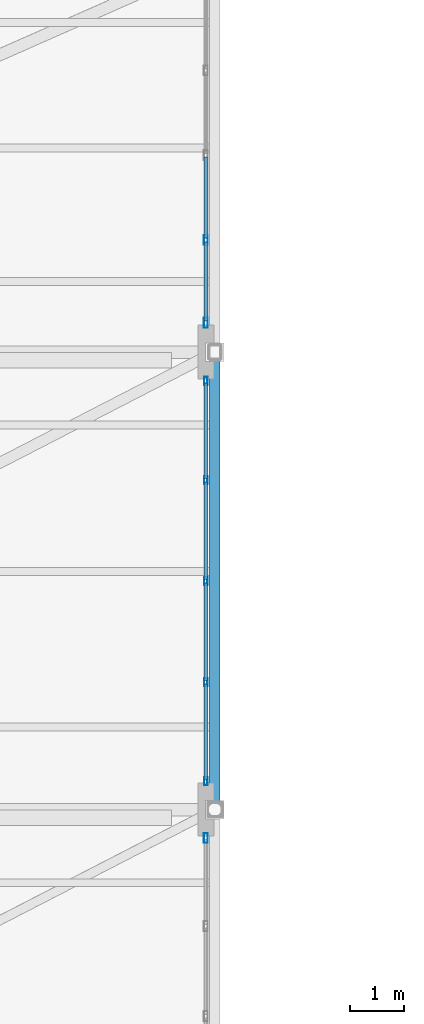
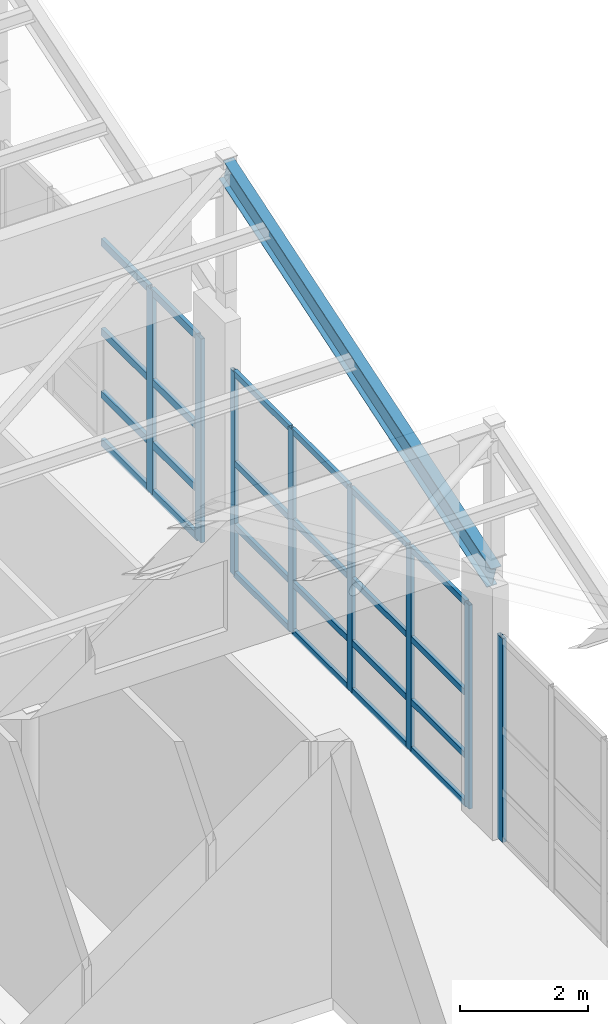
# One storey, part 15 of 34: 32 members, 1 beam, 3 elements without a shape of their own.
"""IFC4 building model written with IfcOpenShell, lengths in metres."""

import ifcopenshell
import ifcopenshell.guid

model = None  # the IFC model being written
_history = None  # IfcOwnerHistory: only IFC2X3 demands one
_inside = {}  # id of a spatial element -> (the spatial element, [elements in it])
_under = {}  # id of a project, library or spatial element -> (it, [spatial elements below it])
_declared = {}  # id of a project -> (the project, [libraries it declares])
_typed = {}  # id of a type object -> (the type object, [elements of that type])
_made_of = {}  # id of a material, layer set ... -> (it, [elements and type objects made of it])


def new_model(schema):
    """Start an empty IFC model of exactly this schema.

    Asked for "IFC4X3", IfcOpenShell would pick the latest addendum, in which some entities
    have other attributes; the version numbers below select the first issue.
    IFC2X3 requires an IfcOwnerHistory on every rooted entity: one is made here for all.
    """
    global model, _history
    if schema == "IFC4X3":
        model = ifcopenshell.file(schema_version=(4, 3, 0, 0))
    else:
        model = ifcopenshell.file(schema=schema)
    _inside.clear()
    _under.clear()
    _declared.clear()
    _typed.clear()
    _made_of.clear()
    _history = None
    if model.schema == "IFC2X3":
        org = make("IfcOrganization", Name="unknown")
        user = make(
            "IfcPersonAndOrganization",
            ThePerson=make("IfcPerson", FamilyName="unknown"),
            TheOrganization=org,
        )
        app = make(
            "IfcApplication",
            ApplicationDeveloper=org,
            Version="unknown",
            ApplicationFullName="unknown",
            ApplicationIdentifier="unknown",
        )
        _history = make(
            "IfcOwnerHistory",
            OwningUser=user,
            OwningApplication=app,
            ChangeAction="ADDED",
            CreationDate=0,
        )
    return model


def make(cls, **values):
    """One entity of the class cls with the attributes given. An attribute that is None is left unset."""
    return model.create_entity(
        cls, **{name: value for name, value in values.items() if value is not None}
    )


def rooted(cls, **values):
    """An entity with a GlobalId (a new one), such as an element, a storey or a relation."""
    return make(cls, GlobalId=ifcopenshell.guid.new(), OwnerHistory=_history, **values)


def si_unit(unit_type, name, prefix=None):
    """IfcSIUnit, for example si_unit("LENGTHUNIT", "METRE", prefix="MILLI")."""
    return make("IfcSIUnit", UnitType=unit_type, Prefix=prefix, Name=name)


def assignment(units):
    """IfcUnitAssignment: the units of a project."""
    return None if units is None else make("IfcUnitAssignment", Units=units)


def point(xyz):
    """IfcCartesianPoint."""
    return None if xyz is None else make("IfcCartesianPoint", Coordinates=xyz)


def direction(xyz):
    """IfcDirection."""
    return None if xyz is None else make("IfcDirection", DirectionRatios=xyz)


def frame(location, z_axis=None, x_axis=None):
    """IfcAxis2Placement3D, a coordinate frame: its origin and axes. An axis left out is left unset."""
    return make(
        "IfcAxis2Placement3D",
        Location=point(location),
        Axis=direction(z_axis),
        RefDirection=direction(x_axis),
    )


def frame_2d(location, x_axis=None):
    """IfcAxis2Placement2D, a coordinate frame in the plane: its origin and x axis."""
    return make(
        "IfcAxis2Placement2D", Location=point(location), RefDirection=direction(x_axis)
    )


def origin():
    """The frame at (0, 0, 0) with its axes left unset."""
    return frame((0.0, 0.0, 0.0))


def origin_2d():
    """The frame at (0, 0) in the plane with its x axis left unset."""
    return frame_2d((0.0, 0.0))


def place(relative_to, where):
    """IfcLocalPlacement: puts the frame where relative to a parent placement (None: the world)."""
    return make(
        "IfcLocalPlacement", PlacementRelTo=relative_to, RelativePlacement=where
    )


def context(
    kind, dimensions, precision=None, world=None, true_north=None, identifier=None
):
    """IfcGeometricRepresentationContext, for example the 3D "Model" context."""
    return make(
        "IfcGeometricRepresentationContext",
        ContextIdentifier=identifier,
        ContextType=kind,
        CoordinateSpaceDimension=dimensions,
        Precision=precision,
        WorldCoordinateSystem=world,
        TrueNorth=true_north,
    )


def subcontext(parent, identifier, kind, view, scale=None):
    """IfcGeometricRepresentationSubContext, for example "Body" below "Model"."""
    return make(
        "IfcGeometricRepresentationSubContext",
        ContextIdentifier=identifier,
        ContextType=kind,
        ParentContext=parent,
        TargetScale=scale,
        TargetView=view,
    )


def project(units=None, contexts=None):
    """IfcProject with its units and contexts."""
    return rooted(
        "IfcProject",
        Name="project",
        RepresentationContexts=contexts,
        UnitsInContext=assignment(units),
    )


def spatial(cls, under=None, at=None, **own):
    """A site, building, storey or space (cls), placed at a placement, below another one or the project."""
    s = rooted(cls, ObjectPlacement=at, **own)
    if under is not None:
        _under.setdefault(under.id(), (under, []))[1].append(s)
    return s


def profile(cls, at=None, kind="AREA", **sizes):
    """A parametric profile (cls). Its sizes go by their IFC names, for example OverallWidth=200.0."""
    return make(cls, ProfileType=kind, Position=at, **sizes)


def hollow_rectangle(**sizes):
    """IfcRectangleHollowProfileDef."""
    return profile("IfcRectangleHollowProfileDef", **sizes)


def i_section(**sizes):
    """IfcIShapeProfileDef."""
    return profile("IfcIShapeProfileDef", **sizes)


def extrude(swept, where, along, depth):
    """IfcExtrudedAreaSolid: the profile swept, set in the frame where, extruded along a direction by depth."""
    return make(
        "IfcExtrudedAreaSolid",
        SweptArea=swept,
        Position=where,
        ExtrudedDirection=direction(along),
        Depth=depth,
    )


def shape(context_of_items, identifier, shape_type, items):
    """IfcShapeRepresentation: the items that make up one representation, for example the "Body"."""
    return make(
        "IfcShapeRepresentation",
        ContextOfItems=context_of_items,
        RepresentationIdentifier=identifier,
        RepresentationType=shape_type,
        Items=items,
    )


def material(Name=None, Category=None):
    """IfcMaterial."""
    return make("IfcMaterial", Name=Name, Category=Category)


def layer(
    of_material, thickness, ventilated=None, Name=None, Category=None, Priority=None
):
    """IfcMaterialLayer: one layer of a wall or slab, of a material (None: an air gap)."""
    return make(
        "IfcMaterialLayer",
        Material=of_material,
        LayerThickness=thickness,
        IsVentilated=ventilated,
        Name=Name,
        Category=Category,
        Priority=Priority,
    )


def layer_set(layers, Name=None):
    """IfcMaterialLayerSet."""
    return make("IfcMaterialLayerSet", MaterialLayers=layers, LayerSetName=Name)


def material_profile(
    of_material, cross_section, Name=None, Category=None, Priority=None
):
    """IfcMaterialProfile: a cross section and its material."""
    return make(
        "IfcMaterialProfile",
        Name=Name,
        Material=of_material,
        Profile=cross_section,
        Priority=Priority,
        Category=Category,
    )


def profile_set(profiles, Name=None, composite=None):
    """IfcMaterialProfileSet."""
    return make(
        "IfcMaterialProfileSet",
        Name=Name,
        MaterialProfiles=profiles,
        CompositeProfile=composite,
    )


def made_of(thing, what):
    """Note that an element or type object is made of a material, layer set ...; save() writes the relation."""
    if what is not None:
        _made_of.setdefault(what.id(), (what, []))[1].append(thing)
    return thing


def type_object(cls, material=None, **own):
    """A type object (cls), such as IfcWallType, which elements share."""
    return made_of(rooted(cls, **own), material)


def element(
    cls,
    number,
    at=None,
    inside=None,
    cuts=None,
    type_object=None,
    material=None,
    context=None,
    identifier="Body",
    shape_type=None,
    held_by="IfcProductDefinitionShape",
    body=None,
    shapes=None,
    **own,
):
    """One element of the class cls, such as IfcWall. Its Tag is "e" and its number.

    at: its placement. inside: the storey or other place that contains it. cuts: it is an
    opening in that element (IfcRelVoidsElement). A single representation is given by context,
    identifier, shape_type and body (its items); several are given by shapes. held_by: the class
    of the entity that holds the representations. save() writes the other relations.
    """
    e = rooted(cls, Tag="e%d" % number, ObjectPlacement=at, **own)
    if body is not None:
        shapes = [shape(context, identifier, shape_type, body)]
    if shapes is not None:
        e.Representation = make(held_by, Representations=shapes)
    if inside is not None:
        _inside.setdefault(inside.id(), (inside, []))[1].append(e)
    if cuts is not None:
        rooted(
            "IfcRelVoidsElement", RelatingBuildingElement=cuts, RelatedOpeningElement=e
        )
    if type_object is not None:
        _typed.setdefault(type_object.id(), (type_object, []))[1].append(e)
    return made_of(e, material)


def aggregate(whole, parts):
    """IfcRelAggregates: a whole, such as a stair, and the parts it consists of."""
    return rooted("IfcRelAggregates", RelatingObject=whole, RelatedObjects=parts)


def save(model, path):
    """Write the relations noted so far, then the file.

    IfcRelAggregates (storeys below a building ...), IfcRelContainedInSpatialStructure (elements
    in a storey), IfcRelDefinesByType, IfcRelAssociatesMaterial and IfcRelDeclares: one each for
    every whole, place, type object, material and project.
    """
    for whole, parts in _under.values():
        aggregate(whole, parts)
    for where, things in _inside.values():
        rooted(
            "IfcRelContainedInSpatialStructure",
            RelatedElements=things,
            RelatingStructure=where,
        )
    for kind, things in _typed.values():
        rooted("IfcRelDefinesByType", RelatedObjects=things, RelatingType=kind)
    for what, things in _made_of.values():
        rooted("IfcRelAssociatesMaterial", RelatedObjects=things, RelatingMaterial=what)
    for by, libraries in _declared.values():
        rooted("IfcRelDeclares", RelatingContext=by, RelatedDefinitions=libraries)
    model.write(path)


model = new_model("IFC4")

# Units and contexts
model_context = context("Model", 3, precision=1e-05, world=origin(), true_north=direction((0.0, 1.0)))
body_context = subcontext(model_context, "Body", "Model", "MODEL_VIEW")
ifc_project = project(units=[si_unit("LENGTHUNIT", "METRE"), si_unit("AREAUNIT", "SQUARE_METRE"), si_unit("VOLUMEUNIT", "CUBIC_METRE"), si_unit("PLANEANGLEUNIT", "RADIAN"), si_unit("MASSUNIT", "GRAM", prefix="KILO")], contexts=[model_context])

# Site, building, storey
site_placement = place(None, origin())
site = spatial("IfcSite", under=ifc_project, at=site_placement, CompositionType="ELEMENT")
building_placement = place(site_placement, origin())
building = spatial("IfcBuilding", under=site, at=building_placement, Name="Quendrovan Civic Courthouse", CompositionType="ELEMENT")
storey_placement = place(building_placement, frame((0.0, 0.0, 25.5)))
storey = spatial("IfcBuildingStorey", under=building, at=storey_placement, Name="L06", CompositionType="ELEMENT", Elevation=25.5)

# Beam
ifc_material_1 = material(Name="Steel ASTM A992 Grade 50", Category="steel")
ifc_material_profile_1 = material_profile(ifc_material_1, i_section(OverallWidth=0.18994140625, OverallDepth=0.45703125, WebThickness=0.009033203125, FlangeThickness=0.014404296875, at=origin_2d()), Name="W460x74")
ifc_profile_set_1 = profile_set([ifc_material_profile_1], Name="Steel ASTM A992 Grade 50")
beam_type = type_object("IfcBeamType", Name="BM-STL-W460", PredefinedType="BEAM", material=ifc_profile_set_1)
beam_placement = place(storey_placement, frame((16.800048828125, 64.800048828125, 4.651611328125), z_axis=(0.0, 0.951058036, 0.309012317167), x_axis=(-1.0, 0.0, 0.0)))
element("IfcBeam", 1, at=beam_placement, inside=storey, type_object=beam_type, Name="Sawtooth Raking Steel Rafter B6-E", PredefinedType="BEAM", context=body_context, shape_type="SweptSolid", body=[
    extrude(i_section(OverallWidth=0.18994140625, OverallDepth=0.45703125, WebThickness=0.009033203125, FlangeThickness=0.014404296875, at=origin_2d()), origin(), (0.0, 0.0, 1.0), 8.832275390625),
])

# Curtain wall, members
ifc_material_2 = material(Name="Bronze anodised aluminium and low-E glass", Category="aluminium")
ifc_layer_1 = layer(ifc_material_2, 0.179931640625, Name="Bronze anodised aluminium and low-E glass")
ifc_layer_set_1 = layer_set([ifc_layer_1], Name="Bronze anodised aluminium and low-E glass")
curtain_wall_type_1 = type_object("IfcCurtainWallType", Name="CW-U62x39", PredefinedType="USERDEFINED", material=ifc_layer_set_1)
curtain_wall_1_placement = place(storey_placement, origin())
curtain_wall_1 = element("IfcCurtainWall", 2, at=curtain_wall_1_placement, inside=storey, type_object=curtain_wall_type_1, Name="L06 Unitised Hurricane Curtain Wall CW-208", ObjectType="UNITISED CURTAIN WALL", PredefinedType="USERDEFINED")
ifc_material_3 = material(Name="Bronze anodised aluminium", Category="aluminium")
ifc_material_profile_2 = material_profile(ifc_material_3, hollow_rectangle(XDim=0.070068359375, YDim=0.179931640625, WallThickness=0.00390625, at=origin_2d()), Name="CW-MULL-70x180")
ifc_profile_set_2 = profile_set([ifc_material_profile_2], Name="Bronze anodised aluminium")
member_type_1 = type_object("IfcMemberType", Name="CW-MULL-A", PredefinedType="MULLION", material=ifc_profile_set_2)
member_1_placement = place(storey_placement, frame((16.635009765625, 75.25634765625, 0.0), z_axis=(0.0, 0.0, 1.0), x_axis=(1.0, 0.0, 0.0)))
member_1 = element("IfcMember", 3, at=member_1_placement, type_object=member_type_1, Name="CW-208 mullion 4", PredefinedType="MULLION", context=body_context, shape_type="SweptSolid", body=[
    extrude(hollow_rectangle(XDim=0.070068359375, YDim=0.179931640625, WallThickness=0.00390625, at=origin_2d()), origin(), (0.0, 0.0, 1.0), 3.89990234375),
])
member_2_placement = place(storey_placement, frame((16.635009765625, 73.735107421875, 0.0), z_axis=(0.0, 0.0, 1.0), x_axis=(1.0, 0.0, 0.0)))
member_2 = element("IfcMember", 4, at=member_2_placement, type_object=member_type_1, Name="CW-208 mullion 5", PredefinedType="MULLION", context=body_context, shape_type="SweptSolid", body=[
    extrude(hollow_rectangle(XDim=0.070068359375, YDim=0.179931640625, WallThickness=0.00390625, at=origin_2d()), origin(), (0.0, 0.0, 1.0), 3.89990234375),
])

# Curtain wall, member
ifc_layer_2 = layer(ifc_material_2, 0.179931640625, Name="Bronze anodised aluminium and low-E glass")
ifc_layer_set_2 = layer_set([ifc_layer_2], Name="Bronze anodised aluminium and low-E glass")
curtain_wall_type_2 = type_object("IfcCurtainWallType", Name="CW-U66x39", PredefinedType="USERDEFINED", material=ifc_layer_set_2)
curtain_wall_2_placement = place(storey_placement, origin())
curtain_wall_2 = element("IfcCurtainWall", 5, at=curtain_wall_2_placement, inside=storey, type_object=curtain_wall_type_2, Name="L06 Unitised Hurricane Curtain Wall CW-210", ObjectType="UNITISED CURTAIN WALL", PredefinedType="USERDEFINED")
member_3_placement = place(storey_placement, frame((16.635009765625, 64.278564453125, 0.0), z_axis=(0.0, 0.0, 1.0), x_axis=(1.0, 0.0, 0.0)))
member_3 = element("IfcMember", 6, at=member_3_placement, type_object=member_type_1, Name="CW-210 mullion 1", PredefinedType="MULLION", context=body_context, shape_type="SweptSolid", body=[
    extrude(hollow_rectangle(XDim=0.070068359375, YDim=0.179931640625, WallThickness=0.00390625, at=origin_2d()), origin(), (0.0, 0.0, 1.0), 3.89990234375),
])
aggregate(curtain_wall_2, [member_3])

# Curtain wall, members
ifc_layer_3 = layer(ifc_material_2, 0.179931640625, Name="Bronze anodised aluminium and low-E glass")
ifc_layer_set_3 = layer_set([ifc_layer_3], Name="Bronze anodised aluminium and low-E glass")
curtain_wall_type_3 = type_object("IfcCurtainWallType", Name="CW-U74x39", PredefinedType="USERDEFINED", material=ifc_layer_set_3)
curtain_wall_3_placement = place(storey_placement, origin())
curtain_wall_3 = element("IfcCurtainWall", 7, at=curtain_wall_3_placement, inside=storey, type_object=curtain_wall_type_3, Name="L06 Unitised Hurricane Curtain Wall CW-209", ObjectType="UNITISED CURTAIN WALL", PredefinedType="USERDEFINED")
ifc_material_profile_3 = material_profile(ifc_material_3, hollow_rectangle(XDim=0.06494140625, YDim=0.14990234375, WallThickness=0.00390625, at=origin_2d()), Name="CW-MULL-65x150")
ifc_profile_set_3 = profile_set([ifc_material_profile_3], Name="Bronze anodised aluminium")
member_type_2 = type_object("IfcMemberType", Name="CW-MULL-B", PredefinedType="MULLION", material=ifc_profile_set_3)
member_4_placement = place(storey_placement, frame((16.635009765625, 72.66748046875, 0.0), z_axis=(0.0, 0.0, 1.0), x_axis=(1.0, 0.0, 0.0)))
member_4 = element("IfcMember", 8, at=member_4_placement, type_object=member_type_2, Name="CW-209 mullion 1", PredefinedType="MULLION", context=body_context, shape_type="SweptSolid", body=[
    extrude(hollow_rectangle(XDim=0.06494140625, YDim=0.14990234375, WallThickness=0.00390625, at=origin_2d()), origin(), (0.0, 0.0, 1.0), 3.89990234375),
])
member_5_placement = place(storey_placement, frame((16.635009765625, 70.8466796875, 0.0), z_axis=(0.0, 0.0, 1.0), x_axis=(1.0, 0.0, 0.0)))
member_5 = element("IfcMember", 9, at=member_5_placement, type_object=member_type_2, Name="CW-209 mullion 2", PredefinedType="MULLION", context=body_context, shape_type="SweptSolid", body=[
    extrude(hollow_rectangle(XDim=0.06494140625, YDim=0.14990234375, WallThickness=0.00390625, at=origin_2d()), origin(), (0.0, 0.0, 1.0), 3.89990234375),
])
member_6_placement = place(storey_placement, frame((16.635009765625, 68.9931640625, 0.0), z_axis=(0.0, 0.0, 1.0), x_axis=(1.0, 0.0, 0.0)))
member_6 = element("IfcMember", 10, at=member_6_placement, type_object=member_type_2, Name="CW-209 mullion 3", PredefinedType="MULLION", context=body_context, shape_type="SweptSolid", body=[
    extrude(hollow_rectangle(XDim=0.06494140625, YDim=0.14990234375, WallThickness=0.00390625, at=origin_2d()), origin(), (0.0, 0.0, 1.0), 3.89990234375),
])
member_7_placement = place(storey_placement, frame((16.635009765625, 67.139892578125, 0.0), z_axis=(0.0, 0.0, 1.0), x_axis=(1.0, 0.0, 0.0)))
member_7 = element("IfcMember", 11, at=member_7_placement, type_object=member_type_2, Name="CW-209 mullion 4", PredefinedType="MULLION", context=body_context, shape_type="SweptSolid", body=[
    extrude(hollow_rectangle(XDim=0.06494140625, YDim=0.14990234375, WallThickness=0.00390625, at=origin_2d()), origin(), (0.0, 0.0, 1.0), 3.89990234375),
])
member_8_placement = place(storey_placement, frame((16.635009765625, 65.319091796875, 0.0), z_axis=(0.0, 0.0, 1.0), x_axis=(1.0, 0.0, 0.0)))
member_8 = element("IfcMember", 12, at=member_8_placement, type_object=member_type_2, Name="CW-209 mullion 5", PredefinedType="MULLION", context=body_context, shape_type="SweptSolid", body=[
    extrude(hollow_rectangle(XDim=0.06494140625, YDim=0.14990234375, WallThickness=0.00390625, at=origin_2d()), origin(), (0.0, 0.0, 1.0), 3.89990234375),
])

# Member
ifc_material_profile_4 = material_profile(ifc_material_3, hollow_rectangle(XDim=0.070068359375, YDim=0.139892578125, WallThickness=0.00390625, at=origin_2d()), Name="CW-TRAN-70x140")
ifc_profile_set_4 = profile_set([ifc_material_profile_4], Name="Bronze anodised aluminium")
member_type_3 = type_object("IfcMemberType", Name="CW-TRAN-A", PredefinedType="USERDEFINED", material=ifc_profile_set_4)
member_9_placement = place(storey_placement, frame((16.635009765625, 76.777587890625, 0.034912109375), z_axis=(0.0, -1.0, 0.0), x_axis=(1.0, 0.0, 0.0)))
member_9 = element("IfcMember", 13, at=member_9_placement, type_object=member_type_3, Name="CW-208 transom 3.1", ObjectType="TRANSOM", PredefinedType="USERDEFINED", context=body_context, shape_type="SweptSolid", body=[
    extrude(hollow_rectangle(XDim=0.070068359375, YDim=0.139892578125, WallThickness=0.00390625, at=origin_2d()), origin(), (0.0, 0.0, 1.0), 1.486328125),
])

member_10_placement = place(storey_placement, frame((16.635009765625, 76.777587890625, 0.949951171875), z_axis=(0.0, -1.0, 0.0), x_axis=(1.0, 0.0, 0.0)))
member_10 = element("IfcMember", 14, at=member_10_placement, type_object=member_type_3, Name="CW-208 transom 3.2", ObjectType="TRANSOM", PredefinedType="USERDEFINED", context=body_context, shape_type="SweptSolid", body=[
    extrude(hollow_rectangle(XDim=0.070068359375, YDim=0.139892578125, WallThickness=0.00390625, at=origin_2d()), origin(), (0.0, 0.0, 1.0), 1.486328125),
])

member_11_placement = place(storey_placement, frame((16.635009765625, 76.777587890625, 2.14990234375), z_axis=(0.0, -1.0, 0.0), x_axis=(1.0, 0.0, 0.0)))
member_11 = element("IfcMember", 15, at=member_11_placement, type_object=member_type_3, Name="CW-208 transom 3.3", ObjectType="TRANSOM", PredefinedType="USERDEFINED", context=body_context, shape_type="SweptSolid", body=[
    extrude(hollow_rectangle(XDim=0.070068359375, YDim=0.139892578125, WallThickness=0.00390625, at=origin_2d()), origin(), (0.0, 0.0, 1.0), 1.486328125),
])

member_12_placement = place(storey_placement, frame((16.635009765625, 76.777587890625, 3.864990234375), z_axis=(0.0, -1.0, 0.0), x_axis=(1.0, 0.0, 0.0)))
member_12 = element("IfcMember", 16, at=member_12_placement, type_object=member_type_3, Name="CW-208 transom 3.4", ObjectType="TRANSOM", PredefinedType="USERDEFINED", context=body_context, shape_type="SweptSolid", body=[
    extrude(hollow_rectangle(XDim=0.070068359375, YDim=0.139892578125, WallThickness=0.00390625, at=origin_2d()), origin(), (0.0, 0.0, 1.0), 1.486328125),
])

member_13_placement = place(storey_placement, frame((16.635009765625, 75.22119140625, 0.034912109375), z_axis=(0.0, -1.0, 0.0), x_axis=(1.0, 0.0, 0.0)))
member_13 = element("IfcMember", 17, at=member_13_placement, type_object=member_type_3, Name="CW-208 transom 4.1", ObjectType="TRANSOM", PredefinedType="USERDEFINED", context=body_context, shape_type="SweptSolid", body=[
    extrude(hollow_rectangle(XDim=0.070068359375, YDim=0.139892578125, WallThickness=0.00390625, at=origin_2d()), origin(), (0.0, 0.0, 1.0), 1.451171875),
])

member_14_placement = place(storey_placement, frame((16.635009765625, 75.22119140625, 0.949951171875), z_axis=(0.0, -1.0, 0.0), x_axis=(1.0, 0.0, 0.0)))
member_14 = element("IfcMember", 18, at=member_14_placement, type_object=member_type_3, Name="CW-208 transom 4.2", ObjectType="TRANSOM", PredefinedType="USERDEFINED", context=body_context, shape_type="SweptSolid", body=[
    extrude(hollow_rectangle(XDim=0.070068359375, YDim=0.139892578125, WallThickness=0.00390625, at=origin_2d()), origin(), (0.0, 0.0, 1.0), 1.451171875),
])

member_15_placement = place(storey_placement, frame((16.635009765625, 75.22119140625, 2.14990234375), z_axis=(0.0, -1.0, 0.0), x_axis=(1.0, 0.0, 0.0)))
member_15 = element("IfcMember", 19, at=member_15_placement, type_object=member_type_3, Name="CW-208 transom 4.3", ObjectType="TRANSOM", PredefinedType="USERDEFINED", context=body_context, shape_type="SweptSolid", body=[
    extrude(hollow_rectangle(XDim=0.070068359375, YDim=0.139892578125, WallThickness=0.00390625, at=origin_2d()), origin(), (0.0, 0.0, 1.0), 1.451171875),
])

member_16_placement = place(storey_placement, frame((16.635009765625, 75.22119140625, 3.864990234375), z_axis=(0.0, -1.0, 0.0), x_axis=(1.0, 0.0, 0.0)))
member_16 = element("IfcMember", 20, at=member_16_placement, type_object=member_type_3, Name="CW-208 transom 4.4", ObjectType="TRANSOM", PredefinedType="USERDEFINED", context=body_context, shape_type="SweptSolid", body=[
    extrude(hollow_rectangle(XDim=0.070068359375, YDim=0.139892578125, WallThickness=0.00390625, at=origin_2d()), origin(), (0.0, 0.0, 1.0), 1.451171875),
])

aggregate(curtain_wall_1, [member_1, member_2, member_9, member_10, member_11, member_12, member_13, member_14, member_15, member_16])

ifc_material_profile_5 = material_profile(ifc_material_3, hollow_rectangle(XDim=0.06494140625, YDim=0.114990234375, WallThickness=0.00390625, at=origin_2d()), Name="CW-TRAN-65x115")
ifc_profile_set_5 = profile_set([ifc_material_profile_5], Name="Bronze anodised aluminium")
member_type_4 = type_object("IfcMemberType", Name="CW-TRAN-B", PredefinedType="USERDEFINED", material=ifc_profile_set_5)
member_17_placement = place(storey_placement, frame((16.635009765625, 72.635009765625, 0.032470703125), z_axis=(0.0, -1.0, 0.0), x_axis=(1.0, 0.0, 0.0)))
member_17 = element("IfcMember", 21, at=member_17_placement, type_object=member_type_4, Name="CW-209 transom 1.1", ObjectType="TRANSOM", PredefinedType="USERDEFINED", context=body_context, shape_type="SweptSolid", body=[
    extrude(hollow_rectangle(XDim=0.06494140625, YDim=0.114990234375, WallThickness=0.00390625, at=origin_2d()), origin(), (0.0, 0.0, 1.0), 1.755859375),
])

member_18_placement = place(storey_placement, frame((16.635009765625, 72.635009765625, 0.949951171875), z_axis=(0.0, -1.0, 0.0), x_axis=(1.0, 0.0, 0.0)))
member_18 = element("IfcMember", 22, at=member_18_placement, type_object=member_type_4, Name="CW-209 transom 1.2", ObjectType="TRANSOM", PredefinedType="USERDEFINED", context=body_context, shape_type="SweptSolid", body=[
    extrude(hollow_rectangle(XDim=0.06494140625, YDim=0.114990234375, WallThickness=0.00390625, at=origin_2d()), origin(), (0.0, 0.0, 1.0), 1.755859375),
])

member_19_placement = place(storey_placement, frame((16.635009765625, 72.635009765625, 2.14990234375), z_axis=(0.0, -1.0, 0.0), x_axis=(1.0, 0.0, 0.0)))
member_19 = element("IfcMember", 23, at=member_19_placement, type_object=member_type_4, Name="CW-209 transom 1.3", ObjectType="TRANSOM", PredefinedType="USERDEFINED", context=body_context, shape_type="SweptSolid", body=[
    extrude(hollow_rectangle(XDim=0.06494140625, YDim=0.114990234375, WallThickness=0.00390625, at=origin_2d()), origin(), (0.0, 0.0, 1.0), 1.755859375),
])

member_20_placement = place(storey_placement, frame((16.635009765625, 72.635009765625, 3.867431640625), z_axis=(0.0, -1.0, 0.0), x_axis=(1.0, 0.0, 0.0)))
member_20 = element("IfcMember", 24, at=member_20_placement, type_object=member_type_4, Name="CW-209 transom 1.4", ObjectType="TRANSOM", PredefinedType="USERDEFINED", context=body_context, shape_type="SweptSolid", body=[
    extrude(hollow_rectangle(XDim=0.06494140625, YDim=0.114990234375, WallThickness=0.00390625, at=origin_2d()), origin(), (0.0, 0.0, 1.0), 1.755859375),
])

member_21_placement = place(storey_placement, frame((16.635009765625, 70.814208984375, 0.032470703125), z_axis=(0.0, -1.0, 0.0), x_axis=(1.0, 0.0, 0.0)))
member_21 = element("IfcMember", 25, at=member_21_placement, type_object=member_type_4, Name="CW-209 transom 2.1", ObjectType="TRANSOM", PredefinedType="USERDEFINED", context=body_context, shape_type="SweptSolid", body=[
    extrude(hollow_rectangle(XDim=0.06494140625, YDim=0.114990234375, WallThickness=0.00390625, at=origin_2d()), origin(), (0.0, 0.0, 1.0), 1.78857421875),
])

member_22_placement = place(storey_placement, frame((16.635009765625, 70.814208984375, 0.949951171875), z_axis=(0.0, -1.0, 0.0), x_axis=(1.0, 0.0, 0.0)))
member_22 = element("IfcMember", 26, at=member_22_placement, type_object=member_type_4, Name="CW-209 transom 2.2", ObjectType="TRANSOM", PredefinedType="USERDEFINED", context=body_context, shape_type="SweptSolid", body=[
    extrude(hollow_rectangle(XDim=0.06494140625, YDim=0.114990234375, WallThickness=0.00390625, at=origin_2d()), origin(), (0.0, 0.0, 1.0), 1.78857421875),
])

member_23_placement = place(storey_placement, frame((16.635009765625, 70.814208984375, 2.14990234375), z_axis=(0.0, -1.0, 0.0), x_axis=(1.0, 0.0, 0.0)))
member_23 = element("IfcMember", 27, at=member_23_placement, type_object=member_type_4, Name="CW-209 transom 2.3", ObjectType="TRANSOM", PredefinedType="USERDEFINED", context=body_context, shape_type="SweptSolid", body=[
    extrude(hollow_rectangle(XDim=0.06494140625, YDim=0.114990234375, WallThickness=0.00390625, at=origin_2d()), origin(), (0.0, 0.0, 1.0), 1.78857421875),
])

member_24_placement = place(storey_placement, frame((16.635009765625, 70.814208984375, 3.867431640625), z_axis=(0.0, -1.0, 0.0), x_axis=(1.0, 0.0, 0.0)))
member_24 = element("IfcMember", 28, at=member_24_placement, type_object=member_type_4, Name="CW-209 transom 2.4", ObjectType="TRANSOM", PredefinedType="USERDEFINED", context=body_context, shape_type="SweptSolid", body=[
    extrude(hollow_rectangle(XDim=0.06494140625, YDim=0.114990234375, WallThickness=0.00390625, at=origin_2d()), origin(), (0.0, 0.0, 1.0), 1.78857421875),
])

member_25_placement = place(storey_placement, frame((16.635009765625, 68.960693359375, 0.032470703125), z_axis=(0.0, -1.0, 0.0), x_axis=(1.0, 0.0, 0.0)))
member_25 = element("IfcMember", 29, at=member_25_placement, type_object=member_type_4, Name="CW-209 transom 3.1", ObjectType="TRANSOM", PredefinedType="USERDEFINED", context=body_context, shape_type="SweptSolid", body=[
    extrude(hollow_rectangle(XDim=0.06494140625, YDim=0.114990234375, WallThickness=0.00390625, at=origin_2d()), origin(), (0.0, 0.0, 1.0), 1.788330078125),
])

member_26_placement = place(storey_placement, frame((16.635009765625, 68.960693359375, 0.949951171875), z_axis=(0.0, -1.0, 0.0), x_axis=(1.0, 0.0, 0.0)))
member_26 = element("IfcMember", 30, at=member_26_placement, type_object=member_type_4, Name="CW-209 transom 3.2", ObjectType="TRANSOM", PredefinedType="USERDEFINED", context=body_context, shape_type="SweptSolid", body=[
    extrude(hollow_rectangle(XDim=0.06494140625, YDim=0.114990234375, WallThickness=0.00390625, at=origin_2d()), origin(), (0.0, 0.0, 1.0), 1.788330078125),
])

member_27_placement = place(storey_placement, frame((16.635009765625, 68.960693359375, 2.14990234375), z_axis=(0.0, -1.0, 0.0), x_axis=(1.0, 0.0, 0.0)))
member_27 = element("IfcMember", 31, at=member_27_placement, type_object=member_type_4, Name="CW-209 transom 3.3", ObjectType="TRANSOM", PredefinedType="USERDEFINED", context=body_context, shape_type="SweptSolid", body=[
    extrude(hollow_rectangle(XDim=0.06494140625, YDim=0.114990234375, WallThickness=0.00390625, at=origin_2d()), origin(), (0.0, 0.0, 1.0), 1.788330078125),
])

member_28_placement = place(storey_placement, frame((16.635009765625, 68.960693359375, 3.867431640625), z_axis=(0.0, -1.0, 0.0), x_axis=(1.0, 0.0, 0.0)))
member_28 = element("IfcMember", 32, at=member_28_placement, type_object=member_type_4, Name="CW-209 transom 3.4", ObjectType="TRANSOM", PredefinedType="USERDEFINED", context=body_context, shape_type="SweptSolid", body=[
    extrude(hollow_rectangle(XDim=0.06494140625, YDim=0.114990234375, WallThickness=0.00390625, at=origin_2d()), origin(), (0.0, 0.0, 1.0), 1.788330078125),
])

member_29_placement = place(storey_placement, frame((16.635009765625, 67.107421875, 0.032470703125), z_axis=(0.0, -1.0, 0.0), x_axis=(1.0, 0.0, 0.0)))
member_29 = element("IfcMember", 33, at=member_29_placement, type_object=member_type_4, Name="CW-209 transom 4.1", ObjectType="TRANSOM", PredefinedType="USERDEFINED", context=body_context, shape_type="SweptSolid", body=[
    extrude(hollow_rectangle(XDim=0.06494140625, YDim=0.114990234375, WallThickness=0.00390625, at=origin_2d()), origin(), (0.0, 0.0, 1.0), 1.755859375),
])

member_30_placement = place(storey_placement, frame((16.635009765625, 67.107421875, 0.949951171875), z_axis=(0.0, -1.0, 0.0), x_axis=(1.0, 0.0, 0.0)))
member_30 = element("IfcMember", 34, at=member_30_placement, type_object=member_type_4, Name="CW-209 transom 4.2", ObjectType="TRANSOM", PredefinedType="USERDEFINED", context=body_context, shape_type="SweptSolid", body=[
    extrude(hollow_rectangle(XDim=0.06494140625, YDim=0.114990234375, WallThickness=0.00390625, at=origin_2d()), origin(), (0.0, 0.0, 1.0), 1.755859375),
])

member_31_placement = place(storey_placement, frame((16.635009765625, 67.107421875, 2.14990234375), z_axis=(0.0, -1.0, 0.0), x_axis=(1.0, 0.0, 0.0)))
member_31 = element("IfcMember", 35, at=member_31_placement, type_object=member_type_4, Name="CW-209 transom 4.3", ObjectType="TRANSOM", PredefinedType="USERDEFINED", context=body_context, shape_type="SweptSolid", body=[
    extrude(hollow_rectangle(XDim=0.06494140625, YDim=0.114990234375, WallThickness=0.00390625, at=origin_2d()), origin(), (0.0, 0.0, 1.0), 1.755859375),
])

member_32_placement = place(storey_placement, frame((16.635009765625, 67.107421875, 3.867431640625), z_axis=(0.0, -1.0, 0.0), x_axis=(1.0, 0.0, 0.0)))
member_32 = element("IfcMember", 36, at=member_32_placement, type_object=member_type_4, Name="CW-209 transom 4.4", ObjectType="TRANSOM", PredefinedType="USERDEFINED", context=body_context, shape_type="SweptSolid", body=[
    extrude(hollow_rectangle(XDim=0.06494140625, YDim=0.114990234375, WallThickness=0.00390625, at=origin_2d()), origin(), (0.0, 0.0, 1.0), 1.755859375),
])

aggregate(curtain_wall_3, [member_4, member_5, member_6, member_7, member_8, member_17, member_18, member_19, member_20, member_21, member_22, member_23, member_24, member_25, member_26, member_27, member_28, member_29, member_30, member_31, member_32])

save(model, "model.ifc")
